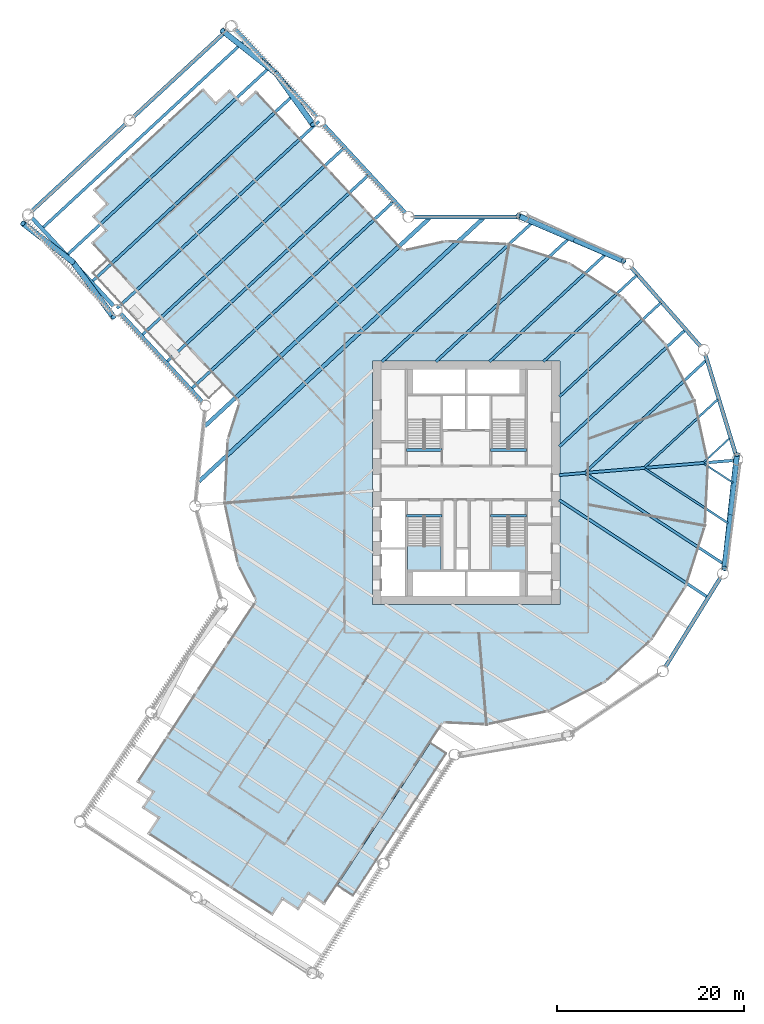
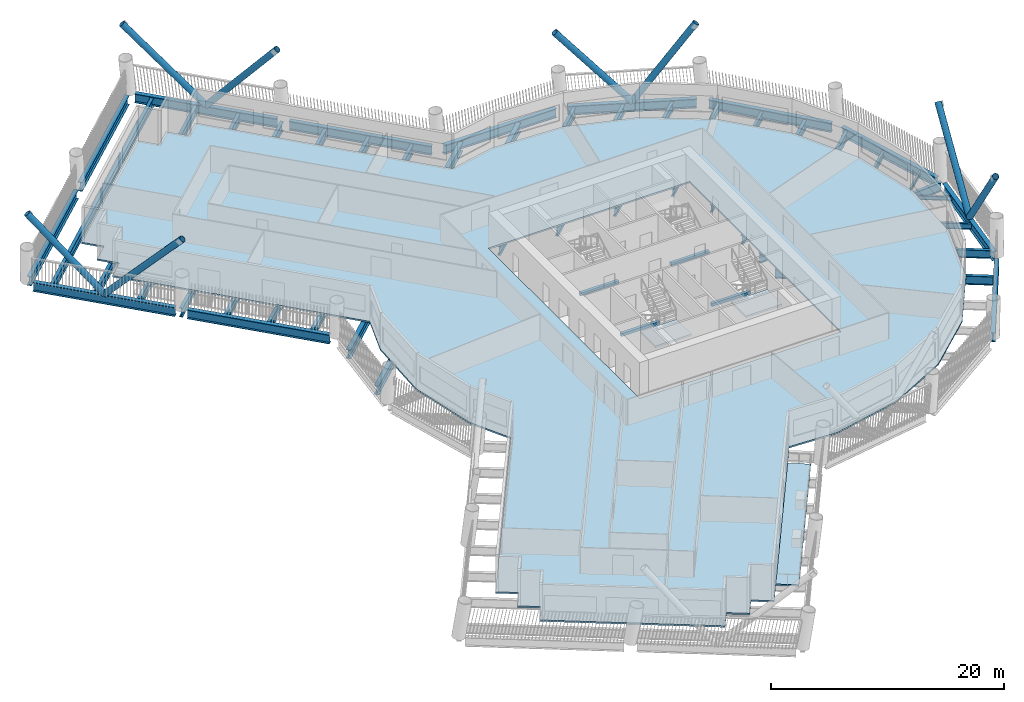
# One storey, part 2 of 22: 39 beams, 8 members, 4 slabs, 2 elements without a shape of their own.
"""IFC4 building model written with IfcOpenShell, lengths in metres."""

from ifc_helpers import new_model, si_unit, direction, frame, origin, origin_2d, place, context, subcontext, project, spatial, polyline, rectangle, hollow_circle, i_section, outline, extrude, material, layer, layer_set, material_profile, profile_set, type_object, element, aggregate, save


model = new_model("IFC4")

# Units and contexts
model_context = context("Model", 3, precision=1e-05, world=origin(), true_north=direction((0.0, 1.0)))
body_context = subcontext(model_context, "Body", "Model", "MODEL_VIEW")
ifc_project = project(units=[si_unit("LENGTHUNIT", "METRE"), si_unit("AREAUNIT", "SQUARE_METRE"), si_unit("VOLUMEUNIT", "CUBIC_METRE"), si_unit("PLANEANGLEUNIT", "RADIAN"), si_unit("MASSUNIT", "GRAM", prefix="KILO")], contexts=[model_context])

# Site, building, storey
site_placement = place(None, origin())
site = spatial("IfcSite", under=ifc_project, at=site_placement, CompositionType="ELEMENT")
building_placement = place(site_placement, origin())
building = spatial("IfcBuilding", under=site, at=building_placement, Name="Tarsis Ring Headquarters", CompositionType="ELEMENT")
storey_placement = place(building_placement, frame((0.0, 0.0, 63.39990234375)))
storey = spatial("IfcBuildingStorey", under=building, at=storey_placement, Name="L13", CompositionType="ELEMENT", Elevation=63.39990234375)

# Beams
ifc_material_1 = material(Name="Structural steel S355", Category="steel")
ifc_material_profile_1 = material_profile(ifc_material_1, i_section(OverallWidth=0.177734375, OverallDepth=0.406494140625, WebThickness=0.0078125, FlangeThickness=0.0126953125, at=origin_2d()), Name="W16x40")
ifc_profile_set_1 = profile_set([ifc_material_profile_1], Name="Structural steel S355")
beam_type_1 = type_object("IfcBeamType", Name="FB Floor beam W16x40", PredefinedType="JOIST", material=ifc_profile_set_1)
beam_1_placement = place(storey_placement, frame((25.376708984375, 2.037109375, -0.363037109375), z_axis=(0.836787944981, -0.547527109041, 0.0), x_axis=(0.547527109041, 0.836787944981, 0.0)))
element("IfcBeam", 1, at=beam_1_placement, inside=storey, type_object=beam_type_1, Name="Floor beam FB1", PredefinedType="JOIST", context=body_context, shape_type="SweptSolid", body=[
    extrude(i_section(OverallWidth=0.177734375, OverallDepth=0.406494140625, WebThickness=0.0078125, FlangeThickness=0.0126953125, at=origin_2d()), origin(), (0.0, 0.0, 1.0), 3.741455078125),
])
beam_2_placement = place(storey_placement, frame((28.1064453125, 4.765625, -0.363037109375), z_axis=(-0.733729349678, -0.679441860222, 0.0), x_axis=(0.679441860222, -0.733729349678, 0.0)))
element("IfcBeam", 2, at=beam_2_placement, inside=storey, type_object=beam_type_1, Name="Floor beam FB1", PredefinedType="JOIST", context=body_context, shape_type="SweptSolid", body=[
    extrude(i_section(OverallWidth=0.177734375, OverallDepth=0.406494140625, WebThickness=0.0078125, FlangeThickness=0.0126953125, at=origin_2d()), origin(), (0.0, 0.0, 1.0), 3.74169921875),
])
ifc_material_profile_2 = material_profile(ifc_material_1, i_section(OverallWidth=0.228271484375, OverallDepth=0.607177734375, WebThickness=0.01123046875, FlangeThickness=0.017333984375, at=origin_2d()), Name="W24x76")
ifc_profile_set_2 = profile_set([ifc_material_profile_2], Name="Structural steel S355")
beam_type_2 = type_object("IfcBeamType", Name="FB Floor beam W24x76", PredefinedType="JOIST", material=ifc_profile_set_2)
for number, where, z_axis, x_axis, name in (
    (3, (19.064208984375, 1.507080078125, -0.46337890625), (0.836769112809, -0.547555889246, 0.0), (0.547555889246, 0.836769112809, 0.0), "Floor beam FB4"),
    (4, (26.841796875, 8.90966796875, -0.46337890625), (-0.733743272832, -0.679426824297, 0.0), (0.679426824297, -0.733743272832, 0.0), "Floor beam FB4"),
):
    element("IfcBeam", number, at=place(storey_placement, frame(where, z_axis=z_axis, x_axis=x_axis)), inside=storey, type_object=beam_type_2, Name=name, PredefinedType="JOIST", context=body_context, shape_type="SweptSolid", body=[
        extrude(i_section(OverallWidth=0.228271484375, OverallDepth=0.607177734375, WebThickness=0.01123046875, FlangeThickness=0.017333984375, at=origin_2d()), origin(), (0.0, 0.0, 1.0), 10.62109375),
    ])
ifc_material_profile_3 = material_profile(ifc_material_1, i_section(OverallWidth=0.2666015625, OverallDepth=0.7568359375, WebThickness=0.013916015625, FlangeThickness=0.019287109375, at=origin_2d()), Name="W30x108")
ifc_profile_set_3 = profile_set([ifc_material_profile_3], Name="Structural steel S355")
beam_type_3 = type_object("IfcBeamType", Name="FB Floor beam W30x108", PredefinedType="JOIST", material=ifc_profile_set_3)
beam_3_placement = place(storey_placement, frame((20.75927734375, 19.223388671875, -0.538330078125), z_axis=(-0.733729835726, -0.679441335338, 0.0), x_axis=(0.679441335338, -0.733729835726, 0.0)))
element("IfcBeam", 5, at=beam_3_placement, inside=storey, type_object=beam_type_3, Name="Floor beam FB6", PredefinedType="JOIST", context=body_context, shape_type="SweptSolid", body=[
    extrude(i_section(OverallWidth=0.2666015625, OverallDepth=0.7568359375, WebThickness=0.013916015625, FlangeThickness=0.019287109375, at=origin_2d()), origin(), (0.0, 0.0, 1.0), 14.763916015625),
])
beam_4_placement = place(storey_placement, frame((18.183837890625, 22.15380859375, -0.538330078125), z_axis=(-0.733729453348, -0.679441748268, 0.0), x_axis=(0.679441748268, -0.733729453348, 0.0)))
element("IfcBeam", 6, at=beam_4_placement, inside=storey, type_object=beam_type_3, Name="Floor beam FB6", PredefinedType="JOIST", context=body_context, shape_type="SweptSolid", body=[
    extrude(i_section(OverallWidth=0.2666015625, OverallDepth=0.7568359375, WebThickness=0.013916015625, FlangeThickness=0.019287109375, at=origin_2d()), origin(), (0.0, 0.0, 1.0), 13.572509765625),
])
ifc_material_profile_4 = material_profile(ifc_material_1, i_section(OverallWidth=0.2919921875, OverallDepth=0.835693359375, WebThickness=0.013916015625, FlangeThickness=0.018798828125, at=origin_2d()), Name="W33x118")
ifc_profile_set_4 = profile_set([ifc_material_profile_4], Name="Structural steel S355")
beam_type_4 = type_object("IfcBeamType", Name="FB Floor beam W33x118", PredefinedType="JOIST", material=ifc_profile_set_4)
for number, where, z_axis, x_axis, name in (
    (7, (12.751708984375, 0.97705078125, -0.57763671875), (0.83676508652, -0.547562042129, 0.0), (0.547562042129, 0.83676508652, 0.0), "Floor beam FB7"),
    (8, (25.576904296875, 13.053955078125, -0.57763671875), (-0.733725900531, -0.679445584937, 0.0), (0.679445584937, -0.733725900531, 0.0), "Floor beam FB7"),
):
    element("IfcBeam", number, at=place(storey_placement, frame(where, z_axis=z_axis, x_axis=x_axis)), inside=storey, type_object=beam_type_4, Name=name, PredefinedType="JOIST", context=body_context, shape_type="SweptSolid", body=[
        extrude(i_section(OverallWidth=0.2919921875, OverallDepth=0.835693359375, WebThickness=0.013916015625, FlangeThickness=0.018798828125, at=origin_2d()), origin(), (0.0, 0.0, 1.0), 17.500732421875),
    ])
beam_5_placement = place(storey_placement, frame((14.802490234375, 24.337890625, -0.57763671875), z_axis=(-0.733730866788, -0.679440221891, 0.0), x_axis=(0.679440221891, -0.733730866788, 0.0)))
element("IfcBeam", 9, at=beam_5_placement, inside=storey, type_object=beam_type_4, Name="Floor beam FB7", PredefinedType="JOIST", context=body_context, shape_type="SweptSolid", body=[
    extrude(i_section(OverallWidth=0.2919921875, OverallDepth=0.835693359375, WebThickness=0.013916015625, FlangeThickness=0.018798828125, at=origin_2d()), origin(), (0.0, 0.0, 1.0), 16.787109375),
])
ifc_material_profile_5 = material_profile(ifc_material_1, i_section(OverallWidth=0.3046875, OverallDepth=0.904296875, WebThickness=0.01513671875, FlangeThickness=0.02001953125, at=origin_2d()), Name="W36x135")
ifc_profile_set_5 = profile_set([ifc_material_profile_5], Name="Structural steel S355")
beam_type_5 = type_object("IfcBeamType", Name="FB Floor beam W36x135", PredefinedType="JOIST", material=ifc_profile_set_5)
beam_6_placement = place(storey_placement, frame((9.916259765625, -1.828369140625, -0.612060546875), z_axis=(0.836769229099, -0.547555711533, 0.0), x_axis=(0.547555711533, 0.836769229099, 0.0)))
element("IfcBeam", 10, at=beam_6_placement, inside=storey, type_object=beam_type_5, Name="Floor beam FB8", PredefinedType="JOIST", context=body_context, shape_type="SweptSolid", body=[
    extrude(i_section(OverallWidth=0.3046875, OverallDepth=0.904296875, WebThickness=0.01513671875, FlangeThickness=0.02001953125, at=origin_2d()), origin(), (0.0, 0.0, 1.0), 18.89306640625),
])
beam_7_placement = place(storey_placement, frame((23.3349609375, 16.293212890625, -0.612060546875), z_axis=(-0.733732552727, -0.679438401232, 0.0), x_axis=(0.679438401232, -0.733732552727, 0.0)))
element("IfcBeam", 11, at=beam_7_placement, inside=storey, type_object=beam_type_5, Name="Floor beam FB8", PredefinedType="JOIST", context=body_context, shape_type="SweptSolid", body=[
    extrude(i_section(OverallWidth=0.3046875, OverallDepth=0.904296875, WebThickness=0.01513671875, FlangeThickness=0.02001953125, at=origin_2d()), origin(), (0.0, 0.0, 1.0), 18.2744140625),
])
beam_8_placement = place(storey_placement, frame((10.9462890625, 26.08251953125, -0.612060546875), z_axis=(-0.733725038609, -0.679446515716, 0.0), x_axis=(0.679446515716, -0.733725038609, 0.0)))
element("IfcBeam", 12, at=beam_8_placement, inside=storey, type_object=beam_type_5, Name="Floor beam FB8", PredefinedType="JOIST", context=body_context, shape_type="SweptSolid", body=[
    extrude(i_section(OverallWidth=0.3046875, OverallDepth=0.904296875, WebThickness=0.01513671875, FlangeThickness=0.02001953125, at=origin_2d()), origin(), (0.0, 0.0, 1.0), 19.3544921875),
])
ifc_material_profile_6 = material_profile(ifc_material_1, i_section(OverallWidth=0.3046875, OverallDepth=0.91943359375, WebThickness=0.017333984375, FlangeThickness=0.02783203125, at=origin_2d()), Name="W36x170")
ifc_profile_set_6 = profile_set([ifc_material_profile_6], Name="Structural steel S355")
beam_type_6 = type_object("IfcBeamType", Name="FB Floor beam W36x170", PredefinedType="JOIST", material=ifc_profile_set_6)
beam_9_placement = place(storey_placement, frame((7.09033203125, 27.826904296875, -0.61962890625), z_axis=(-0.733731268787, -0.67943978777, 0.0), x_axis=(0.67943978777, -0.733731268787, 0.0)))
element("IfcBeam", 13, at=beam_9_placement, inside=storey, type_object=beam_type_6, Name="Floor beam FB9", PredefinedType="JOIST", context=body_context, shape_type="SweptSolid", body=[
    extrude(i_section(OverallWidth=0.3046875, OverallDepth=0.91943359375, WebThickness=0.017333984375, FlangeThickness=0.02783203125, at=origin_2d()), origin(), (0.0, 0.0, 1.0), 21.922119140625),
])
ifc_material_profile_7 = material_profile(ifc_material_1, i_section(OverallWidth=0.309814453125, OverallDepth=0.949951171875, WebThickness=0.0244140625, FlangeThickness=0.0439453125, at=origin_2d()), Name="W36x256")
ifc_profile_set_7 = profile_set([ifc_material_profile_7], Name="Structural steel S355")
beam_type_7 = type_object("IfcBeamType", Name="FB Floor beam W36x256", PredefinedType="JOIST", material=ifc_profile_set_7)
beam_10_placement = place(storey_placement, frame((-7.771728515625, 30.010498046875, -0.635009765625), z_axis=(-0.733729062287, -0.679442170575, 0.0), x_axis=(0.679442170575, -0.733729062287, 0.0)))
element("IfcBeam", 14, at=beam_10_placement, inside=storey, type_object=beam_type_7, Name="Floor beam FB11", PredefinedType="JOIST", context=body_context, shape_type="SweptSolid", body=[
    extrude(i_section(OverallWidth=0.309814453125, OverallDepth=0.949951171875, WebThickness=0.0244140625, FlangeThickness=0.0439453125, at=origin_2d()), origin(), (0.0, 0.0, 1.0), 29.3759765625),
])
beam_11_placement = place(storey_placement, frame((-10.421630859375, 32.871826171875, -0.635009765625), z_axis=(-0.733733205508, -0.679437696287, 0.0), x_axis=(0.679437696287, -0.733733205508, 0.0)))
element("IfcBeam", 15, at=beam_11_placement, inside=storey, type_object=beam_type_7, Name="Floor beam FB11", PredefinedType="JOIST", context=body_context, shape_type="SweptSolid", body=[
    extrude(i_section(OverallWidth=0.309814453125, OverallDepth=0.949951171875, WebThickness=0.0244140625, FlangeThickness=0.0439453125, at=origin_2d()), origin(), (0.0, 0.0, 1.0), 29.375732421875),
])
beam_12_placement = place(storey_placement, frame((-13.071533203125, 35.7333984375, -0.635009765625), z_axis=(-0.733729368837, -0.679441839531, 0.0), x_axis=(0.679441839531, -0.733729368837, 0.0)))
element("IfcBeam", 16, at=beam_12_placement, inside=storey, type_object=beam_type_7, Name="Floor beam FB11", PredefinedType="JOIST", context=body_context, shape_type="SweptSolid", body=[
    extrude(i_section(OverallWidth=0.309814453125, OverallDepth=0.949951171875, WebThickness=0.0244140625, FlangeThickness=0.0439453125, at=origin_2d()), origin(), (0.0, 0.0, 1.0), 29.37548828125),
])
for number, where, z_axis, x_axis, name in (
    (17, (-15.72119140625, 38.594970703125, -0.635009765625), (-0.733733205508, -0.679437696287, 0.0), (0.679437696287, -0.733733205508, 0.0), "Floor beam FB11"),
    (18, (-18.37109375, 41.45654296875, -0.635009765625), (-0.733733205508, -0.679437696287, 0.0), (0.679437696287, -0.733733205508, 0.0), "Floor beam FB11"),
    (19, (-21.02099609375, 44.318115234375, -0.635009765625), (-0.733725225588, -0.6794463138, 0.0), (0.6794463138, -0.733725225588, 0.0), "Floor beam FB11"),
):
    element("IfcBeam", number, at=place(storey_placement, frame(where, z_axis=z_axis, x_axis=x_axis)), inside=storey, type_object=beam_type_7, Name=name, PredefinedType="JOIST", context=body_context, shape_type="SweptSolid", body=[
        extrude(i_section(OverallWidth=0.309814453125, OverallDepth=0.949951171875, WebThickness=0.0244140625, FlangeThickness=0.0439453125, at=origin_2d()), origin(), (0.0, 0.0, 1.0), 29.375732421875),
    ])
beam_13_placement = place(storey_placement, frame((-23.670654296875, 47.1796875, -0.635009765625), z_axis=(-0.733729062287, -0.679442170575, 0.0), x_axis=(0.679442170575, -0.733729062287, 0.0)))
element("IfcBeam", 20, at=beam_13_placement, inside=storey, type_object=beam_type_7, Name="Floor beam FB11", PredefinedType="JOIST", context=body_context, shape_type="SweptSolid", body=[
    extrude(i_section(OverallWidth=0.309814453125, OverallDepth=0.949951171875, WebThickness=0.0244140625, FlangeThickness=0.0439453125, at=origin_2d()), origin(), (0.0, 0.0, 1.0), 29.3759765625),
])
beam_type_8 = type_object("IfcBeamType", Name="FB Floor beam W36x256 spine", PredefinedType="BEAM", material=ifc_profile_set_7)
beam_14_placement = place(storey_placement, frame((28.830078125, 2.4208984375, -0.635009765625), z_axis=(-0.99649273047, -0.08367937691, 0.0), x_axis=(0.08367937691, -0.99649273047, 0.0)))
element("IfcBeam", 21, at=beam_14_placement, inside=storey, type_object=beam_type_8, Name="Floor beam SB11", PredefinedType="BEAM", context=body_context, shape_type="SweptSolid", body=[
    extrude(i_section(OverallWidth=0.309814453125, OverallDepth=0.949951171875, WebThickness=0.0244140625, FlangeThickness=0.0439453125, at=origin_2d()), origin(), (0.0, 0.0, 1.0), 18.996337890625),
])
ifc_material_profile_8 = material_profile(ifc_material_1, i_section(OverallWidth=0.42431640625, OverallDepth=0.947509765625, WebThickness=0.02392578125, FlangeThickness=0.042724609375, at=origin_2d()), Name="W36x302")
ifc_profile_set_8 = profile_set([ifc_material_profile_8], Name="Structural steel S355")
beam_type_9 = type_object("IfcBeamType", Name="FB Floor beam W36x302", PredefinedType="JOIST", material=ifc_profile_set_8)
beam_15_placement = place(storey_placement, frame((1.80859375, 28.25146484375, -0.633544921875), z_axis=(-0.733725572836, -0.679445938811, 0.0), x_axis=(0.679445938811, -0.733725572836, 0.0)))
element("IfcBeam", 22, at=beam_15_placement, inside=storey, type_object=beam_type_9, Name="Floor beam FB12", PredefinedType="JOIST", context=body_context, shape_type="SweptSolid", body=[
    extrude(i_section(OverallWidth=0.42431640625, OverallDepth=0.947509765625, WebThickness=0.02392578125, FlangeThickness=0.042724609375, at=origin_2d()), origin(), (0.0, 0.0, 1.0), 41.35302734375),
])
beam_16_placement = place(storey_placement, frame((-3.93115234375, 28.25146484375, -0.633544921875), z_axis=(-0.733731866515, -0.679439142279, 0.0), x_axis=(0.679439142279, -0.733731866515, 0.0)))
element("IfcBeam", 23, at=beam_16_placement, inside=storey, type_object=beam_type_9, Name="Floor beam FB12", PredefinedType="JOIST", context=body_context, shape_type="SweptSolid", body=[
    extrude(i_section(OverallWidth=0.42431640625, OverallDepth=0.947509765625, WebThickness=0.02392578125, FlangeThickness=0.042724609375, at=origin_2d()), origin(), (0.0, 0.0, 1.0), 32.704833984375),
])
ifc_material_2 = material(Name="Concrete C40/50", Category="concrete")
ifc_material_profile_9 = material_profile(ifc_material_2, rectangle(XDim=0.300048828125, YDim=0.300048828125, at=origin_2d()), Name="Stair head beam 300x300 C40/50")
ifc_profile_set_9 = profile_set([ifc_material_profile_9], Name="Concrete C40/50")
beam_type_10 = type_object("IfcBeamType", Name="Stair head beam 300x300 C40/50", PredefinedType="BEAM", material=ifc_profile_set_9)
for number, where, z_axis, x_axis, name in (
    (24, (-6.39990234375, 3.510009765625, -0.309814453125), (1.0, 0.0, 0.0), (0.0, 1.0, 0.0), "Stair head beam L13 Firefighting stair"),
    (25, (2.60009765625, 3.510009765625, -0.309814453125), (1.0, 0.0, 0.0), (0.0, 1.0, 0.0), "Stair head beam L13 Exit stair B"),
    (26, (-6.39990234375, -3.510009765625, -0.309814453125), (1.0, 0.0, 0.0), (0.0, 1.0, 0.0), "Stair head beam L13 Exit stair C"),
    (27, (2.60009765625, -3.510009765625, -0.309814453125), (1.0, 0.0, 0.0), (0.0, 1.0, 0.0), "Stair head beam L13 Exit stair D"),
):
    element("IfcBeam", number, at=place(storey_placement, frame(where, z_axis=z_axis, x_axis=x_axis)), inside=storey, type_object=beam_type_10, Name=name, PredefinedType="BEAM", context=body_context, shape_type="SweptSolid", body=[
        extrude(rectangle(XDim=0.300048828125, YDim=0.300048828125, at=origin_2d()), origin(), (0.0, 0.0, 1.0), 3.7998046875),
    ])

# Members
ifc_material_profile_10 = material_profile(ifc_material_1, hollow_circle(Radius=0.3046875, WallThickness=0.02490234375, at=origin_2d()), Name="CHS 610x25")
ifc_profile_set_10 = profile_set([ifc_material_profile_10], Name="Structural steel S355")
member_type = type_object("IfcMemberType", Name="XD X brace CHS 610x25", PredefinedType="BRACE", material=ifc_profile_set_10)
member_1_placement = place(storey_placement, frame((28.160888671875, -3.64306640625, 0.0), z_axis=(0.070764212305, 0.648806328571, 0.757656105541), x_axis=(-0.994104597939, 0.108425312338, 0.0)))
element("IfcMember", 28, at=member_1_placement, inside=storey, type_object=member_type, Name="X brace XD1", PredefinedType="BRACE", context=body_context, shape_type="SweptSolid", body=[
    extrude(hollow_circle(Radius=0.3046875, WallThickness=0.02490234375, at=origin_2d()), origin(), (0.0, 0.0, 1.0), 10.294921875),
])
member_2_placement = place(storey_placement, frame((28.160888671875, -3.64306640625, 0.0), z_axis=(-0.061537644311, -0.575057795656, 0.815795102944), x_axis=(0.99432300878, -0.106403732124, 0.0)))
element("IfcMember", 29, at=member_2_placement, inside=storey, type_object=member_type, Name="X brace XD1", PredefinedType="BRACE", context=body_context, shape_type="SweptSolid", body=[
    extrude(hollow_circle(Radius=0.3046875, WallThickness=0.02490234375, at=origin_2d()), origin(), (0.0, 0.0, 1.0), 9.561279296875),
])
member_3_placement = place(storey_placement, frame((11.704833984375, 25.870849609375, 0.0), z_axis=(-0.599883930514, 0.257089725281, 0.757657008855), x_axis=(-0.393914913236, -0.919146909438, 0.0)))
element("IfcMember", 30, at=member_3_placement, inside=storey, type_object=member_type, Name="X brace XD1", PredefinedType="BRACE", context=body_context, shape_type="SweptSolid", body=[
    extrude(hollow_circle(Radius=0.3046875, WallThickness=0.02490234375, at=origin_2d()), origin(), (0.0, 0.0, 1.0), 10.294921875),
])
member_4_placement = place(storey_placement, frame((11.704833984375, 25.870849609375, 0.0), z_axis=(0.532073982137, -0.22671489046, 0.815780384648), x_axis=(0.391994929577, 0.91996737724, 0.0)))
element("IfcMember", 31, at=member_4_placement, inside=storey, type_object=member_type, Name="X brace XD1", PredefinedType="BRACE", context=body_context, shape_type="SweptSolid", body=[
    extrude(hollow_circle(Radius=0.3046875, WallThickness=0.02490234375, at=origin_2d()), origin(), (0.0, 0.0, 1.0), 9.5615234375),
])
member_5_placement = place(storey_placement, frame((-20.29248046875, 43.696533203125, 0.0), z_axis=(-0.536062767304, 0.42644673351, 0.728546424732), x_axis=(-0.622553221869, -0.782577463221, 0.0)))
element("IfcMember", 32, at=member_5_placement, inside=storey, type_object=member_type, Name="X brace XD1", PredefinedType="BRACE", context=body_context, shape_type="SweptSolid", body=[
    extrude(hollow_circle(Radius=0.3046875, WallThickness=0.02490234375, at=origin_2d()), origin(), (0.0, 0.0, 1.0), 10.706298828125),
])
member_6_placement = place(storey_placement, frame((-20.29248046875, 43.696533203125, 0.0), z_axis=(0.38103514689, -0.528553302899, 0.758580004237), x_axis=(0.811187232752, 0.584786519527, 0.0)))
element("IfcMember", 33, at=member_6_placement, inside=storey, type_object=member_type, Name="X brace XD1", PredefinedType="BRACE", context=body_context, shape_type="SweptSolid", body=[
    extrude(hollow_circle(Radius=0.3046875, WallThickness=0.02490234375, at=origin_2d()), origin(), (0.0, 0.0, 1.0), 10.282470703125),
])
member_7_placement = place(storey_placement, frame((-42.0107421875, 23.5849609375, 0.0), z_axis=(0.406215010945, -0.550372024159, 0.729438139876), x_axis=(0.804582432906, 0.593840979269, 0.0)))
element("IfcMember", 34, at=member_7_placement, inside=storey, type_object=member_type, Name="X brace XD1", PredefinedType="BRACE", context=body_context, shape_type="SweptSolid", body=[
    extrude(hollow_circle(Radius=0.3046875, WallThickness=0.02490234375, at=origin_2d()), origin(), (0.0, 0.0, 1.0), 10.693115234375),
])
member_8_placement = place(storey_placement, frame((-42.0107421875, 23.5849609375, 0.0), z_axis=(-0.516068682879, 0.399690025667, 0.757575737424), x_axis=(-0.612319717539, -0.790610247539, 0.0)))
element("IfcMember", 35, at=member_8_placement, inside=storey, type_object=member_type, Name="X brace XD1", PredefinedType="BRACE", context=body_context, shape_type="SweptSolid", body=[
    extrude(hollow_circle(Radius=0.3046875, WallThickness=0.02490234375, at=origin_2d()), origin(), (0.0, 0.0, 1.0), 10.296142578125),
])

# Beams
beam_type_11 = type_object("IfcBeamType", Name="XG Ring girder W36x302", PredefinedType="BEAM", material=ifc_profile_set_8)
for number, where, z_axis, x_axis, name in (
    (36, (21.224609375, -19.670166015625, -0.4736328125), (0.525668587869, 0.850689447288, 0.0), (-0.850689447288, 0.525668587869, 0.0), "Ring girder XG1"),
    (37, (27.445556640625, -9.1728515625, -0.4736328125), (0.128290869416, 0.991736584393, 0.0), (-0.991736584393, 0.128290869416, 0.0), "Ring girder XG1"),
):
    element("IfcBeam", number, at=place(storey_placement, frame(where, z_axis=z_axis, x_axis=x_axis)), inside=storey, type_object=beam_type_11, Name=name, PredefinedType="BEAM", context=body_context, shape_type="SweptSolid", body=[
        extrude(i_section(OverallWidth=0.42431640625, OverallDepth=0.947509765625, WebThickness=0.02392578125, FlangeThickness=0.042724609375, at=origin_2d()), origin(), (0.0, 0.0, 1.0), 11.151611328125),
    ])
beam_17_placement = place(storey_placement, frame((28.786376953125, 2.95556640625, -0.4736328125), z_axis=(-0.291882005907, 0.956454334837, 0.0), x_axis=(-0.956454334837, -0.291882005907, 0.0)))
element("IfcBeam", 38, at=beam_17_placement, inside=storey, type_object=beam_type_11, Name="Ring girder XG1", PredefinedType="BEAM", context=body_context, shape_type="SweptSolid", body=[
    extrude(i_section(OverallWidth=0.42431640625, OverallDepth=0.947509765625, WebThickness=0.02392578125, FlangeThickness=0.042724609375, at=origin_2d()), origin(), (0.0, 0.0, 1.0), 11.1513671875),
])
beam_18_placement = place(storey_placement, frame((25.009033203125, 14.55810546875, -0.4736328125), z_axis=(-0.660172252596, 0.751114236919, 0.0), x_axis=(-0.751114236919, -0.660172252596, 0.0)))
element("IfcBeam", 39, at=beam_18_placement, inside=storey, type_object=beam_type_11, Name="Ring girder XG1", PredefinedType="BEAM", context=body_context, shape_type="SweptSolid", body=[
    extrude(i_section(OverallWidth=0.42431640625, OverallDepth=0.947509765625, WebThickness=0.02392578125, FlangeThickness=0.042724609375, at=origin_2d()), origin(), (0.0, 0.0, 1.0), 11.151611328125),
])
beam_19_placement = place(storey_placement, frame((16.784912109375, 23.572509765625, -0.4736328125), z_axis=(-0.91109010856, 0.412207246521, 0.0), x_axis=(-0.412207246521, -0.91109010856, 0.0)))
element("IfcBeam", 40, at=beam_19_placement, inside=storey, type_object=beam_type_11, Name="Ring girder XG1", PredefinedType="BEAM", context=body_context, shape_type="SweptSolid", body=[
    extrude(i_section(OverallWidth=0.42431640625, OverallDepth=0.947509765625, WebThickness=0.02392578125, FlangeThickness=0.042724609375, at=origin_2d()), origin(), (0.0, 0.0, 1.0), 11.1513671875),
])
beam_20_placement = place(storey_placement, frame((5.576416015625, 28.3955078125, -0.4736328125), z_axis=(-0.99999999976, 2.1892856e-05, 0.0), x_axis=(-2.1892856e-05, -0.99999999976, 0.0)))
element("IfcBeam", 41, at=beam_20_placement, inside=storey, type_object=beam_type_11, Name="Ring girder XG1", PredefinedType="BEAM", context=body_context, shape_type="SweptSolid", body=[
    extrude(i_section(OverallWidth=0.42431640625, OverallDepth=0.947509765625, WebThickness=0.02392578125, FlangeThickness=0.042724609375, at=origin_2d()), origin(), (0.0, 0.0, 1.0), 11.151611328125),
])
for number, where, z_axis, x_axis, name in (
    (42, (-6.49658203125, 28.79833984375, -0.4736328125), (-0.679444909895, 0.733726525634, 0.0), (-0.733726525634, -0.679444909895, 0.0), "Ring girder XG1"),
    (43, (-15.9423828125, 38.998779296875, -0.4736328125), (-0.679444909895, 0.733726525634, 0.0), (-0.733726525634, -0.679444909895, 0.0), "Ring girder XG1"),
):
    element("IfcBeam", number, at=place(storey_placement, frame(where, z_axis=z_axis, x_axis=x_axis)), inside=storey, type_object=beam_type_11, Name=name, PredefinedType="BEAM", context=body_context, shape_type="SweptSolid", body=[
        extrude(i_section(OverallWidth=0.42431640625, OverallDepth=0.947509765625, WebThickness=0.02392578125, FlangeThickness=0.042724609375, at=origin_2d()), origin(), (0.0, 0.0, 1.0), 12.804931640625),
    ])
for number, where, z_axis, x_axis, name in (
    (44, (-25.41796875, 48.423828125, -0.4736328125), (-0.733730078748, -0.679441072897, 0.0), (0.679441072897, -0.733730078748, 0.0), "Ring girder XG1"),
    (45, (-36.277099609375, 38.3681640625, -0.4736328125), (-0.73372119645, -0.679450664788, 0.0), (0.679450664788, -0.73372119645, 0.0), "Ring girder XG1"),
):
    element("IfcBeam", number, at=place(storey_placement, frame(where, z_axis=z_axis, x_axis=x_axis)), inside=storey, type_object=beam_type_11, Name=name, PredefinedType="BEAM", context=body_context, shape_type="SweptSolid", body=[
        extrude(i_section(OverallWidth=0.42431640625, OverallDepth=0.947509765625, WebThickness=0.02392578125, FlangeThickness=0.042724609375, at=origin_2d()), origin(), (0.0, 0.0, 1.0), 13.70263671875),
    ])
beam_21_placement = place(storey_placement, frame((-46.36083984375, 28.28271484375, -0.4736328125), z_axis=(0.679435404935, -0.733735327295, 0.0), x_axis=(0.733735327295, 0.679435404935, 0.0)))
element("IfcBeam", 46, at=beam_21_placement, inside=storey, type_object=beam_type_11, Name="Ring girder XG1", PredefinedType="BEAM", context=body_context, shape_type="SweptSolid", body=[
    extrude(i_section(OverallWidth=0.42431640625, OverallDepth=0.947509765625, WebThickness=0.02392578125, FlangeThickness=0.042724609375, at=origin_2d()), origin(), (0.0, 0.0, 1.0), 12.804931640625),
])
beam_22_placement = place(storey_placement, frame((-36.915283203125, 18.082275390625, -0.4736328125), z_axis=(0.679445669242, -0.733725822463, 0.0), x_axis=(0.733725822463, 0.679445669242, 0.0)))
element("IfcBeam", 47, at=beam_22_placement, inside=storey, type_object=beam_type_11, Name="Ring girder XG1", PredefinedType="BEAM", context=body_context, shape_type="SweptSolid", body=[
    extrude(i_section(OverallWidth=0.42431640625, OverallDepth=0.947509765625, WebThickness=0.02392578125, FlangeThickness=0.042724609375, at=origin_2d()), origin(), (0.0, 0.0, 1.0), 12.80517578125),
])

# Slab
ifc_layer_1 = layer(ifc_material_2, 0.159912109375)
ifc_layer_set_1 = layer_set([ifc_layer_1], Name="Balcony slab concrete C40/50")
slab_type_1 = type_object("IfcSlabType", Name="Balcony slab concrete C40/50", PredefinedType="FLOOR", material=ifc_layer_set_1)
slab_1_placement = place(storey_placement, frame((0.0, 0.0, -0.159912109375)))
element("IfcSlab", 48, at=slab_1_placement, inside=storey, type_object=slab_type_1, Name="Balcony slab L13-16", PredefinedType="FLOOR", context=body_context, shape_type="SweptSolid", body=[
    extrude(outline(polyline([(-13.77783203125, -42.969970703125), (-12.104248046875, -44.065185546875), (-2.165283203125, -28.876708984375), (-3.8388671875, -27.78173828125), (-13.77783203125, -42.969970703125)])), origin(), (0.0, 0.0, 1.0), 0.159912109375),
])

# Stair, slab
ifc_material_3 = material(Name="Core stair 1760")
stair_type = type_object("IfcStairType", Name="Core stair 1760", PredefinedType="HALF_TURN_STAIR", material=ifc_material_3)
stair_1_placement = place(storey_placement, origin())
stair_1 = element("IfcStair", 49, at=stair_1_placement, inside=storey, type_object=stair_type, Name="L13 Exit stair C", PredefinedType="HALF_TURN_STAIR")
ifc_layer_2 = layer(ifc_material_2, 0.199951171875)
ifc_layer_set_2 = layer_set([ifc_layer_2], Name="Core stair landing 200")
slab_type_2 = type_object("IfcSlabType", Name="Core stair landing 200", PredefinedType="LANDING", material=ifc_layer_set_2)
slab_2_placement = place(storey_placement, frame((0.0, 0.0, 1.75)))
slab_2 = element("IfcSlab", 50, at=slab_2_placement, type_object=slab_type_2, Name="Stair ST3 landing 1", PredefinedType="LANDING", context=body_context, shape_type="SweptSolid", body=[
    extrude(outline(polyline([(-6.300048828125, -6.739990234375), (-6.300048828125, -9.300048828125), (-2.699951171875, -9.300048828125), (-2.699951171875, -6.739990234375), (-6.300048828125, -6.739990234375)])), origin(), (0.0, 0.0, 1.0), 0.2001953125),
])
aggregate(stair_1, [slab_2])

stair_2_placement = place(storey_placement, origin())
stair_2 = element("IfcStair", 51, at=stair_2_placement, inside=storey, type_object=stair_type, Name="L13 Exit stair D", PredefinedType="HALF_TURN_STAIR")
slab_3_placement = place(storey_placement, frame((0.0, 0.0, 1.75)))
slab_3 = element("IfcSlab", 52, at=slab_3_placement, type_object=slab_type_2, Name="Stair ST4 landing 1", PredefinedType="LANDING", context=body_context, shape_type="SweptSolid", body=[
    extrude(outline(polyline([(2.699951171875, -6.739990234375), (2.699951171875, -9.300048828125), (6.300048828125, -9.300048828125), (6.300048828125, -6.739990234375), (2.699951171875, -6.739990234375)])), origin(), (0.0, 0.0, 1.0), 0.2001953125),
])
aggregate(stair_2, [slab_3])

# Slab
ifc_material_4 = material(Name="Concrete C35/45", Category="concrete")
ifc_layer_3 = layer(ifc_material_4, 0.159912109375)
ifc_layer_set_3 = layer_set([ifc_layer_3], Name="FS Composite floor slab 160")
slab_type_3 = type_object("IfcSlabType", Name="FS Composite floor slab 160", PredefinedType="FLOOR", material=ifc_layer_set_3)
slab_4_placement = place(storey_placement, frame((0.0, 0.0, -0.159912109375)))
element("IfcSlab", 53, at=slab_4_placement, inside=storey, type_object=slab_type_3, Name="Floor slab L13", PredefinedType="FLOOR", context=body_context, shape_type="SweptSolid", body=[
    extrude(outline(polyline([(-24.31494140625, 8.59619140625), (-25.589111328125, 4.604248046875), (-25.908935546875, -2.175537109375), (-24.462890625, -8.80712890625), (-22.541015625, -12.531005859375), (-35.22900390625, -31.92041015625), (-33.5556640625, -33.015625), (-34.650634765625, -34.68896484375), (-32.97705078125, -35.7841796875), (-34.072265625, -37.457763671875), (-20.68408203125, -46.21875), (-19.5888671875, -44.545166015625), (-17.915283203125, -45.640380859375), (-16.8203125, -43.966796875), (-15.146728515625, -45.06201171875), (-2.469970703125, -25.689697265625), (2.175537109375, -25.908935546875), (8.80712890625, -24.462890625), (14.838623046875, -21.349853515625), (19.858642578125, -16.781982421875), (23.525390625, -11.0703125), (25.589111328125, -4.604248046875), (25.908935546875, 2.175537109375), (24.462890625, 8.80712890625), (21.349853515625, 14.838623046875), (16.781982421875, 19.858642578125), (11.0703125, 23.525390625), (4.604248046875, 25.589111328125), (-2.175537109375, 25.908935546875), (-6.719482421875, 24.91796875), (-22.449462890625, 41.90478515625), (-23.9169921875, 40.5458984375), (-25.27587890625, 42.013427734375), (-26.743408203125, 40.654541015625), (-28.102294921875, 42.1220703125), (-39.841796875, 31.2509765625), (-38.48291015625, 29.783447265625), (-39.950439453125, 28.424560546875), (-38.591552734375, 26.957275390625), (-40.05908203125, 25.598388671875), (-24.31494140625, 8.59619140625)]), holes=[polyline([(-10.0, -13.0), (-10.0, 13.0), (10.0, 13.0), (10.0, -13.0), (-10.0, -13.0)])]), origin(), (0.0, 0.0, 1.0), 0.159912109375),
])

save(model, "model.ifc")
